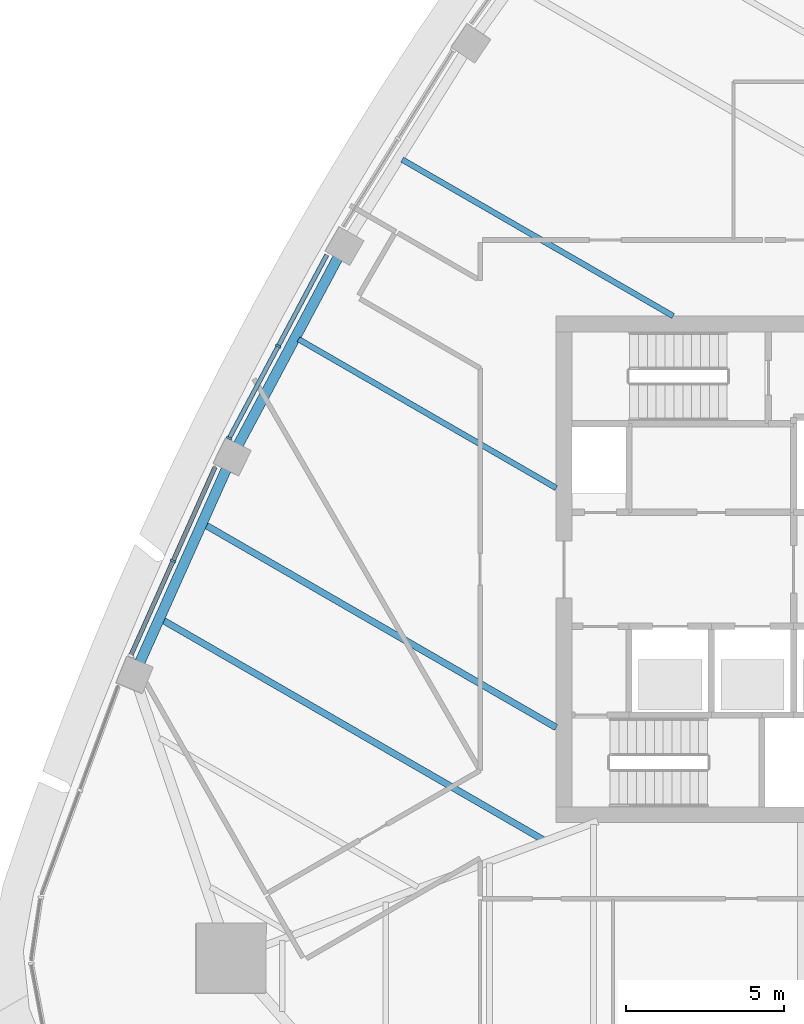
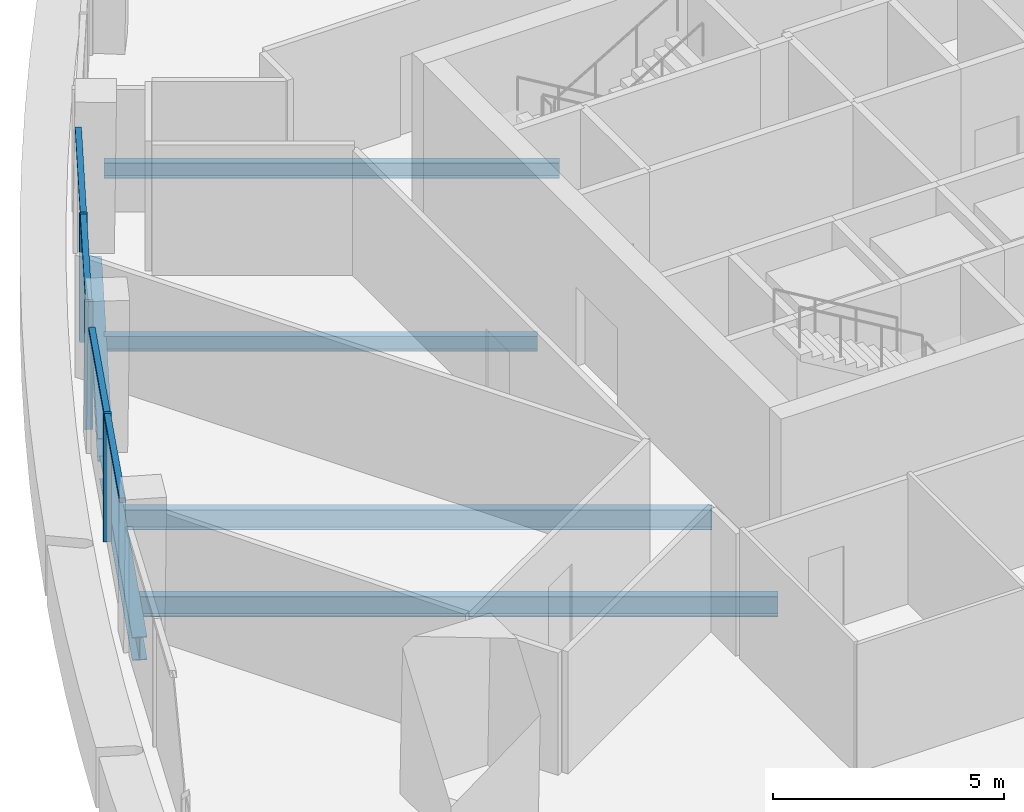
# One storey, part 3 of 15: 7 members, 6 beams, 2 elements without a shape of their own.
"""IFC4 building model written with IfcOpenShell, lengths in metres."""

import ifcopenshell
import ifcopenshell.guid

model = None  # the IFC model being written
_history = None  # IfcOwnerHistory: only IFC2X3 demands one
_inside = {}  # id of a spatial element -> (the spatial element, [elements in it])
_under = {}  # id of a project, library or spatial element -> (it, [spatial elements below it])
_declared = {}  # id of a project -> (the project, [libraries it declares])
_typed = {}  # id of a type object -> (the type object, [elements of that type])
_made_of = {}  # id of a material, layer set ... -> (it, [elements and type objects made of it])


def new_model(schema):
    """Start an empty IFC model of exactly this schema.

    Asked for "IFC4X3", IfcOpenShell would pick the latest addendum, in which some entities
    have other attributes; the version numbers below select the first issue.
    IFC2X3 requires an IfcOwnerHistory on every rooted entity: one is made here for all.
    """
    global model, _history
    if schema == "IFC4X3":
        model = ifcopenshell.file(schema_version=(4, 3, 0, 0))
    else:
        model = ifcopenshell.file(schema=schema)
    _inside.clear()
    _under.clear()
    _declared.clear()
    _typed.clear()
    _made_of.clear()
    _history = None
    if model.schema == "IFC2X3":
        org = make("IfcOrganization", Name="unknown")
        user = make(
            "IfcPersonAndOrganization",
            ThePerson=make("IfcPerson", FamilyName="unknown"),
            TheOrganization=org,
        )
        app = make(
            "IfcApplication",
            ApplicationDeveloper=org,
            Version="unknown",
            ApplicationFullName="unknown",
            ApplicationIdentifier="unknown",
        )
        _history = make(
            "IfcOwnerHistory",
            OwningUser=user,
            OwningApplication=app,
            ChangeAction="ADDED",
            CreationDate=0,
        )
    return model


def make(cls, **values):
    """One entity of the class cls with the attributes given. An attribute that is None is left unset."""
    return model.create_entity(
        cls, **{name: value for name, value in values.items() if value is not None}
    )


def rooted(cls, **values):
    """An entity with a GlobalId (a new one), such as an element, a storey or a relation."""
    return make(cls, GlobalId=ifcopenshell.guid.new(), OwnerHistory=_history, **values)


def si_unit(unit_type, name, prefix=None):
    """IfcSIUnit, for example si_unit("LENGTHUNIT", "METRE", prefix="MILLI")."""
    return make("IfcSIUnit", UnitType=unit_type, Prefix=prefix, Name=name)


def assignment(units):
    """IfcUnitAssignment: the units of a project."""
    return None if units is None else make("IfcUnitAssignment", Units=units)


def point(xyz):
    """IfcCartesianPoint."""
    return None if xyz is None else make("IfcCartesianPoint", Coordinates=xyz)


def direction(xyz):
    """IfcDirection."""
    return None if xyz is None else make("IfcDirection", DirectionRatios=xyz)


def frame(location, z_axis=None, x_axis=None):
    """IfcAxis2Placement3D, a coordinate frame: its origin and axes. An axis left out is left unset."""
    return make(
        "IfcAxis2Placement3D",
        Location=point(location),
        Axis=direction(z_axis),
        RefDirection=direction(x_axis),
    )


def frame_2d(location, x_axis=None):
    """IfcAxis2Placement2D, a coordinate frame in the plane: its origin and x axis."""
    return make(
        "IfcAxis2Placement2D", Location=point(location), RefDirection=direction(x_axis)
    )


def origin():
    """The frame at (0, 0, 0) with its axes left unset."""
    return frame((0.0, 0.0, 0.0))


def origin_2d():
    """The frame at (0, 0) in the plane with its x axis left unset."""
    return frame_2d((0.0, 0.0))


def place(relative_to, where):
    """IfcLocalPlacement: puts the frame where relative to a parent placement (None: the world)."""
    return make(
        "IfcLocalPlacement", PlacementRelTo=relative_to, RelativePlacement=where
    )


def context(
    kind, dimensions, precision=None, world=None, true_north=None, identifier=None
):
    """IfcGeometricRepresentationContext, for example the 3D "Model" context."""
    return make(
        "IfcGeometricRepresentationContext",
        ContextIdentifier=identifier,
        ContextType=kind,
        CoordinateSpaceDimension=dimensions,
        Precision=precision,
        WorldCoordinateSystem=world,
        TrueNorth=true_north,
    )


def subcontext(parent, identifier, kind, view, scale=None):
    """IfcGeometricRepresentationSubContext, for example "Body" below "Model"."""
    return make(
        "IfcGeometricRepresentationSubContext",
        ContextIdentifier=identifier,
        ContextType=kind,
        ParentContext=parent,
        TargetScale=scale,
        TargetView=view,
    )


def project(units=None, contexts=None):
    """IfcProject with its units and contexts."""
    return rooted(
        "IfcProject",
        Name="project",
        RepresentationContexts=contexts,
        UnitsInContext=assignment(units),
    )


def spatial(cls, under=None, at=None, **own):
    """A site, building, storey or space (cls), placed at a placement, below another one or the project."""
    s = rooted(cls, ObjectPlacement=at, **own)
    if under is not None:
        _under.setdefault(under.id(), (under, []))[1].append(s)
    return s


def profile(cls, at=None, kind="AREA", **sizes):
    """A parametric profile (cls). Its sizes go by their IFC names, for example OverallWidth=200.0."""
    return make(cls, ProfileType=kind, Position=at, **sizes)


def rectangle(**sizes):
    """IfcRectangleProfileDef."""
    return profile("IfcRectangleProfileDef", **sizes)


def i_section(**sizes):
    """IfcIShapeProfileDef."""
    return profile("IfcIShapeProfileDef", **sizes)


def extrude(swept, where, along, depth):
    """IfcExtrudedAreaSolid: the profile swept, set in the frame where, extruded along a direction by depth."""
    return make(
        "IfcExtrudedAreaSolid",
        SweptArea=swept,
        Position=where,
        ExtrudedDirection=direction(along),
        Depth=depth,
    )


def shape(context_of_items, identifier, shape_type, items):
    """IfcShapeRepresentation: the items that make up one representation, for example the "Body"."""
    return make(
        "IfcShapeRepresentation",
        ContextOfItems=context_of_items,
        RepresentationIdentifier=identifier,
        RepresentationType=shape_type,
        Items=items,
    )


def material(Name=None, Category=None):
    """IfcMaterial."""
    return make("IfcMaterial", Name=Name, Category=Category)


def layer(
    of_material, thickness, ventilated=None, Name=None, Category=None, Priority=None
):
    """IfcMaterialLayer: one layer of a wall or slab, of a material (None: an air gap)."""
    return make(
        "IfcMaterialLayer",
        Material=of_material,
        LayerThickness=thickness,
        IsVentilated=ventilated,
        Name=Name,
        Category=Category,
        Priority=Priority,
    )


def layer_set(layers, Name=None):
    """IfcMaterialLayerSet."""
    return make("IfcMaterialLayerSet", MaterialLayers=layers, LayerSetName=Name)


def material_profile(
    of_material, cross_section, Name=None, Category=None, Priority=None
):
    """IfcMaterialProfile: a cross section and its material."""
    return make(
        "IfcMaterialProfile",
        Name=Name,
        Material=of_material,
        Profile=cross_section,
        Priority=Priority,
        Category=Category,
    )


def profile_set(profiles, Name=None, composite=None):
    """IfcMaterialProfileSet."""
    return make(
        "IfcMaterialProfileSet",
        Name=Name,
        MaterialProfiles=profiles,
        CompositeProfile=composite,
    )


def made_of(thing, what):
    """Note that an element or type object is made of a material, layer set ...; save() writes the relation."""
    if what is not None:
        _made_of.setdefault(what.id(), (what, []))[1].append(thing)
    return thing


def type_object(cls, material=None, **own):
    """A type object (cls), such as IfcWallType, which elements share."""
    return made_of(rooted(cls, **own), material)


def element(
    cls,
    number,
    at=None,
    inside=None,
    cuts=None,
    type_object=None,
    material=None,
    context=None,
    identifier="Body",
    shape_type=None,
    held_by="IfcProductDefinitionShape",
    body=None,
    shapes=None,
    **own,
):
    """One element of the class cls, such as IfcWall. Its Tag is "e" and its number.

    at: its placement. inside: the storey or other place that contains it. cuts: it is an
    opening in that element (IfcRelVoidsElement). A single representation is given by context,
    identifier, shape_type and body (its items); several are given by shapes. held_by: the class
    of the entity that holds the representations. save() writes the other relations.
    """
    e = rooted(cls, Tag="e%d" % number, ObjectPlacement=at, **own)
    if body is not None:
        shapes = [shape(context, identifier, shape_type, body)]
    if shapes is not None:
        e.Representation = make(held_by, Representations=shapes)
    if inside is not None:
        _inside.setdefault(inside.id(), (inside, []))[1].append(e)
    if cuts is not None:
        rooted(
            "IfcRelVoidsElement", RelatingBuildingElement=cuts, RelatedOpeningElement=e
        )
    if type_object is not None:
        _typed.setdefault(type_object.id(), (type_object, []))[1].append(e)
    return made_of(e, material)


def aggregate(whole, parts):
    """IfcRelAggregates: a whole, such as a stair, and the parts it consists of."""
    return rooted("IfcRelAggregates", RelatingObject=whole, RelatedObjects=parts)


def save(model, path):
    """Write the relations noted so far, then the file.

    IfcRelAggregates (storeys below a building ...), IfcRelContainedInSpatialStructure (elements
    in a storey), IfcRelDefinesByType, IfcRelAssociatesMaterial and IfcRelDeclares: one each for
    every whole, place, type object, material and project.
    """
    for whole, parts in _under.values():
        aggregate(whole, parts)
    for where, things in _inside.values():
        rooted(
            "IfcRelContainedInSpatialStructure",
            RelatedElements=things,
            RelatingStructure=where,
        )
    for kind, things in _typed.values():
        rooted("IfcRelDefinesByType", RelatedObjects=things, RelatingType=kind)
    for what, things in _made_of.values():
        rooted("IfcRelAssociatesMaterial", RelatedObjects=things, RelatingMaterial=what)
    for by, libraries in _declared.values():
        rooted("IfcRelDeclares", RelatingContext=by, RelatedDefinitions=libraries)
    model.write(path)


model = new_model("IFC4")

# Units and contexts
model_context = context("Model", 3, precision=1e-05, world=origin(), true_north=direction((0.0, 1.0)))
body_context = subcontext(model_context, "Body", "Model", "MODEL_VIEW")
ifc_project = project(units=[si_unit("LENGTHUNIT", "METRE"), si_unit("AREAUNIT", "SQUARE_METRE"), si_unit("VOLUMEUNIT", "CUBIC_METRE"), si_unit("PLANEANGLEUNIT", "RADIAN"), si_unit("MASSUNIT", "GRAM", prefix="KILO")], contexts=[model_context])

# Site, building, storey
site_placement = place(None, origin())
site = spatial("IfcSite", under=ifc_project, at=site_placement, CompositionType="ELEMENT")
building_placement = place(site_placement, origin())
building = spatial("IfcBuilding", under=site, at=building_placement, Name="Sierra Prisma Convention Tower", CompositionType="ELEMENT")
storey_placement = place(building_placement, frame((0.0, 0.0, 267.0)))
storey = spatial("IfcBuildingStorey", under=building, at=storey_placement, Name="L60", CompositionType="ELEMENT", Elevation=267.0)

# Curtain wall, members
ifc_material_1 = material(Name="Aluminium and glass curtain wall", Category="aluminium")
ifc_layer = layer(ifc_material_1, 0.179931640625)
ifc_layer_set = layer_set([ifc_layer], Name="CW-1 Plain shaft curtain wall")
curtain_wall_type = type_object("IfcCurtainWallType", Name="CW-1 Plain shaft curtain wall", PredefinedType="NOTDEFINED", material=ifc_layer_set)
curtain_wall_1_placement = place(storey_placement, origin())
curtain_wall_1 = element("IfcCurtainWall", 1, at=curtain_wall_1_placement, inside=storey, type_object=curtain_wall_type, Name="CW-1 NW4 L60", PredefinedType="NOTDEFINED")
ifc_material_2 = material(Name="Aluminium 6063-T6 bronze anodised", Category="aluminium")
ifc_material_profile_1 = material_profile(ifc_material_2, rectangle(XDim=0.179931640625, YDim=0.070068359375, at=origin_2d()), Name="ALU MULLION 70x180")
ifc_profile_set_1 = profile_set([ifc_material_profile_1], Name="Aluminium 6063-T6 bronze anodised")
member_type_1 = type_object("IfcMemberType", Name="CW mullion bronze", PredefinedType="MULLION", material=ifc_profile_set_1)
member_1_placement = place(storey_placement, frame((-19.77490234375, 7.05224609375, 0.0), z_axis=(0.0, 0.0, 1.0), x_axis=(0.882654262983, -0.470022820763, 0.0)))
member_1 = element("IfcMember", 2, at=member_1_placement, type_object=member_type_1, Name="CW-1 mullion NW4.2", PredefinedType="MULLION", context=body_context, shape_type="SweptSolid", body=[
    extrude(rectangle(XDim=0.179931640625, YDim=0.070068359375, at=origin_2d()), origin(), (0.0, 0.0, 1.0), 3.39990234375),
])
member_2_placement = place(storey_placement, frame((-21.32470703125, 4.14208984375, 0.0), z_axis=(0.0, 0.0, 1.0), x_axis=(0.882654262983, -0.470022820763, 0.0)))
member_2 = element("IfcMember", 3, at=member_2_placement, type_object=member_type_1, Name="CW-1 mullion NW4.3", PredefinedType="MULLION", context=body_context, shape_type="SweptSolid", body=[
    extrude(rectangle(XDim=0.179931640625, YDim=0.070068359375, at=origin_2d()), origin(), (0.0, 0.0, 1.0), 3.39990234375),
])

# Curtain wall, member
curtain_wall_2_placement = place(storey_placement, origin())
curtain_wall_2 = element("IfcCurtainWall", 4, at=curtain_wall_2_placement, inside=storey, type_object=curtain_wall_type, Name="CW-1 NW5 L60", PredefinedType="NOTDEFINED")
member_3_placement = place(storey_placement, frame((-23.096923828125, 0.265380859375, 0.0), z_axis=(0.0, 0.0, 1.0), x_axis=(0.912781904816, -0.408447296771, 0.0)))
member_3 = element("IfcMember", 5, at=member_3_placement, type_object=member_type_1, Name="CW-1 mullion NW5.2", PredefinedType="MULLION", context=body_context, shape_type="SweptSolid", body=[
    extrude(rectangle(XDim=0.179931640625, YDim=0.070068359375, at=origin_2d()), origin(), (0.0, 0.0, 1.0), 3.39990234375),
])

# Member
ifc_material_3 = material(Name="Aluminium 6063-T6 bronze anodised", Category="aluminium")
ifc_material_profile_2 = material_profile(ifc_material_3, rectangle(XDim=0.139892578125, YDim=0.1201171875, at=origin_2d()), Name="ALU TRANSOM 120x140")
ifc_profile_set_2 = profile_set([ifc_material_profile_2], Name="Aluminium 6063-T6 bronze anodised")
member_type_2 = type_object("IfcMemberType", Name="CW transom bronze", PredefinedType="USERDEFINED", material=ifc_profile_set_2)
member_4_placement = place(storey_placement, frame((-18.24169921875, 9.931640625, 3.340087890625), z_axis=(-0.470034485521, -0.882648051276, 0.0), x_axis=(0.882648051276, -0.470034485521, 0.0)))
member_4 = element("IfcMember", 6, at=member_4_placement, type_object=member_type_2, Name="CW-1 transom NW4.1", ObjectType="TRANSOM", PredefinedType="USERDEFINED", context=body_context, shape_type="SweptSolid", body=[
    extrude(rectangle(XDim=0.139892578125, YDim=0.1201171875, at=origin_2d()), origin(), (0.0, 0.0, 1.0), 3.22705078125),
])

member_5_placement = place(storey_placement, frame((-19.79150390625, 7.021484375, 3.340087890625), z_axis=(-0.47000310062, -0.882664763887, 0.0), x_axis=(0.882664763887, -0.47000310062, 0.0)))
member_5 = element("IfcMember", 7, at=member_5_placement, type_object=member_type_2, Name="CW-1 transom NW4.2", ObjectType="TRANSOM", PredefinedType="USERDEFINED", context=body_context, shape_type="SweptSolid", body=[
    extrude(rectangle(XDim=0.139892578125, YDim=0.1201171875, at=origin_2d()), origin(), (0.0, 0.0, 1.0), 3.227294921875),
])

aggregate(curtain_wall_1, [member_1, member_2, member_4, member_5])

member_6_placement = place(storey_placement, frame((-21.770751953125, 3.228515625, 3.340087890625), z_axis=(-0.408457738718, -0.912777232232, 0.0), x_axis=(0.912777232232, -0.408457738718, 0.0)))
member_6 = element("IfcMember", 8, at=member_6_placement, type_object=member_type_2, Name="CW-1 transom NW5.1", ObjectType="TRANSOM", PredefinedType="USERDEFINED", context=body_context, shape_type="SweptSolid", body=[
    extrude(rectangle(XDim=0.139892578125, YDim=0.1201171875, at=origin_2d()), origin(), (0.0, 0.0, 1.0), 3.21142578125),
])

member_7_placement = place(storey_placement, frame((-23.111083984375, 0.2333984375, 3.340087890625), z_axis=(-0.408457738718, -0.912777232232, 0.0), x_axis=(0.912777232232, -0.408457738718, 0.0)))
member_7 = element("IfcMember", 9, at=member_7_placement, type_object=member_type_2, Name="CW-1 transom NW5.2", ObjectType="TRANSOM", PredefinedType="USERDEFINED", context=body_context, shape_type="SweptSolid", body=[
    extrude(rectangle(XDim=0.139892578125, YDim=0.1201171875, at=origin_2d()), origin(), (0.0, 0.0, 1.0), 3.21142578125),
])

aggregate(curtain_wall_2, [member_3, member_6, member_7])

# Beams
ifc_material_4 = material(Name="Steel ASTM A992 Gr 50", Category="steel")
ifc_material_profile_3 = material_profile(ifc_material_4, i_section(OverallWidth=0.177978515625, OverallDepth=0.406982421875, WebThickness=0.0078125, FlangeThickness=0.0126953125, at=origin_2d()), Name="W410x60")
ifc_profile_set_3 = profile_set([ifc_material_profile_3], Name="Steel ASTM A992 Gr 50")
beam_type_1 = type_object("IfcBeamType", Name="Floor joist W410x60", PredefinedType="JOIST", material=ifc_profile_set_3)
beam_1_placement = place(storey_placement, frame((-15.861572265625, 12.939697265625, -0.353515625), z_axis=(0.866021795814, -0.500006249136, 0.0), x_axis=(0.500006249136, 0.866021795814, 0.0)))
element("IfcBeam", 10, at=beam_1_placement, inside=storey, type_object=beam_type_1, Name="Floor joist L60 NW06", PredefinedType="JOIST", context=body_context, shape_type="SweptSolid", body=[
    extrude(i_section(OverallWidth=0.177978515625, OverallDepth=0.406982421875, WebThickness=0.0078125, FlangeThickness=0.0126953125, at=origin_2d()), origin(), (0.0, 0.0, 1.0), 9.879150390625),
])
beam_2_placement = place(storey_placement, frame((-19.136962890625, 7.266845703125, -0.353515625), z_axis=(0.866019858166, -0.500009605169, 0.0), x_axis=(0.500009605169, 0.866019858166, 0.0)))
element("IfcBeam", 11, at=beam_2_placement, inside=storey, type_object=beam_type_1, Name="Floor joist L60 NW08", PredefinedType="JOIST", context=body_context, shape_type="SweptSolid", body=[
    extrude(i_section(OverallWidth=0.177978515625, OverallDepth=0.406982421875, WebThickness=0.0078125, FlangeThickness=0.0126953125, at=origin_2d()), origin(), (0.0, 0.0, 1.0), 9.395751953125),
])
ifc_material_5 = material(Name="Steel ASTM A992 Gr 50", Category="steel")
ifc_material_profile_4 = material_profile(ifc_material_5, i_section(OverallWidth=0.208984375, OverallDepth=0.532958984375, WebThickness=0.01025390625, FlangeThickness=0.015625, at=origin_2d()), Name="W530x92")
ifc_profile_set_4 = profile_set([ifc_material_profile_4], Name="Steel ASTM A992 Gr 50")
beam_type_2 = type_object("IfcBeamType", Name="Floor joist W530x92", PredefinedType="JOIST", material=ifc_profile_set_4)
beam_3_placement = place(storey_placement, frame((-22.0810546875, 1.402587890625, -0.41650390625), z_axis=(0.866031798771, -0.499988923394, 0.0), x_axis=(0.499988923394, 0.866031798771, 0.0)))
element("IfcBeam", 12, at=beam_3_placement, inside=storey, type_object=beam_type_2, Name="Floor joist L60 NW10", PredefinedType="JOIST", context=body_context, shape_type="SweptSolid", body=[
    extrude(i_section(OverallWidth=0.208984375, OverallDepth=0.532958984375, WebThickness=0.01025390625, FlangeThickness=0.015625, at=origin_2d()), origin(), (0.0, 0.0, 1.0), 12.795166015625),
])
beam_4_placement = place(storey_placement, frame((-23.426025390625, -1.602783203125, -0.41650390625), z_axis=(0.866025767314, -0.499999370347, 0.0), x_axis=(0.499999370347, 0.866025767314, 0.0)))
element("IfcBeam", 13, at=beam_4_placement, inside=storey, type_object=beam_type_2, Name="Floor joist L60 NW11", PredefinedType="JOIST", context=body_context, shape_type="SweptSolid", body=[
    extrude(i_section(OverallWidth=0.208984375, OverallDepth=0.532958984375, WebThickness=0.01025390625, FlangeThickness=0.015625, at=origin_2d()), origin(), (0.0, 0.0, 1.0), 13.8896484375),
])
ifc_material_6 = material(Name="Steel ASTM A992 Gr 50", Category="steel")
ifc_material_profile_5 = material_profile(ifc_material_6, i_section(OverallWidth=0.324951171875, OverallDepth=0.615966796875, WebThickness=0.013916015625, FlangeThickness=0.021484375, at=origin_2d()), Name="W610x174")
ifc_profile_set_5 = profile_set([ifc_material_profile_5], Name="Steel ASTM A992 Gr 50")
beam_type_3 = type_object("IfcBeamType", Name="Spandrel beam W610x174", PredefinedType="BEAM", material=ifc_profile_set_5)
for number, where, z_axis, x_axis, name in (
    (14, (-17.849365234375, 9.924072265625, -0.4580078125), (-0.470034726794, -0.882647922791, 0.0), (0.882647922791, -0.470034726794, 0.0), "Spandrel L60-16"),
    (15, (-21.37890625, 3.247802734375, -0.4580078125), (-0.408460818566, -0.912775854028, 0.0), (0.912775854028, -0.408460818566, 0.0), "Spandrel L60-17"),
):
    element("IfcBeam", number, at=place(storey_placement, frame(where, z_axis=z_axis, x_axis=x_axis)), inside=storey, type_object=beam_type_3, Name=name, PredefinedType="BEAM", context=body_context, shape_type="SweptSolid", body=[
        extrude(i_section(OverallWidth=0.324951171875, OverallDepth=0.615966796875, WebThickness=0.013916015625, FlangeThickness=0.021484375, at=origin_2d()), origin(), (0.0, 0.0, 1.0), 6.89208984375),
    ])

save(model, "model.ifc")
